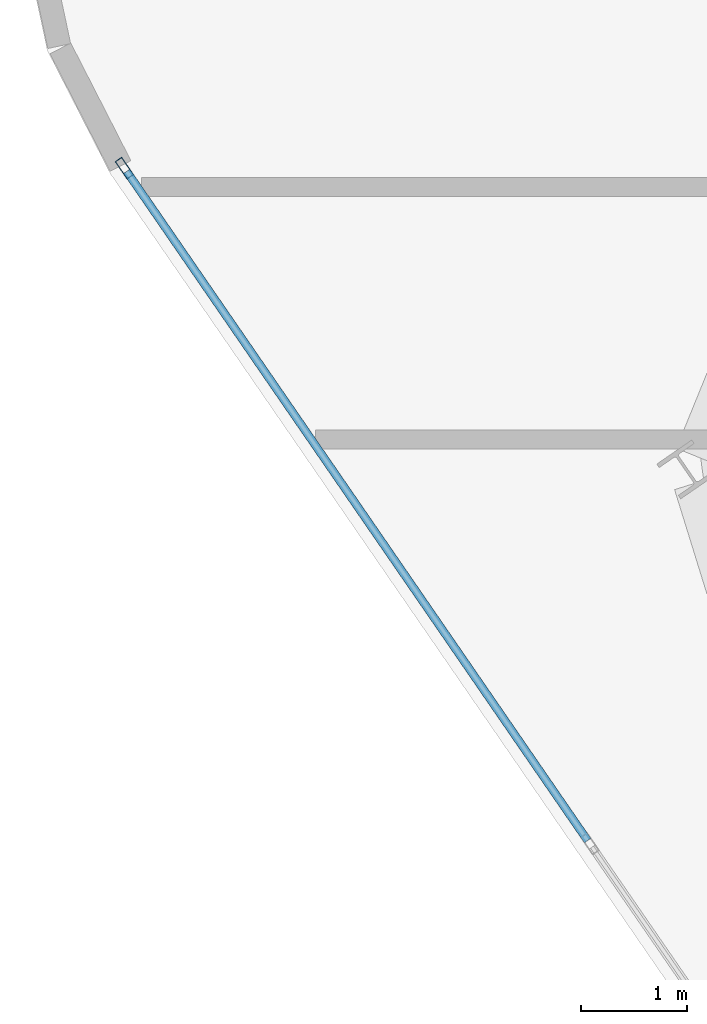
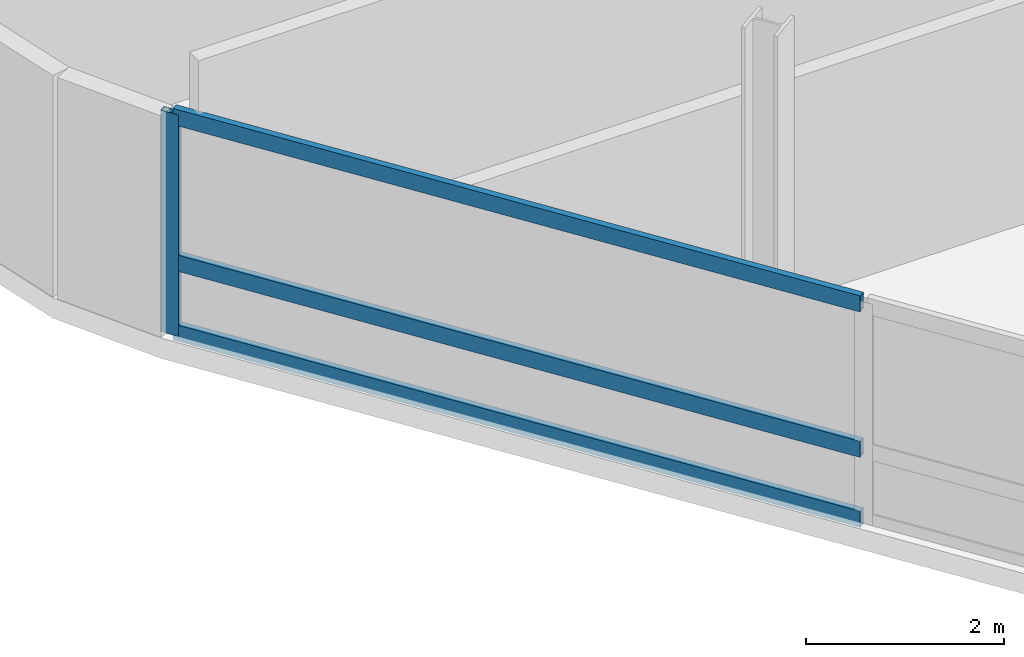
# One storey, part 6 of 21: 4 members, 1 element without a shape of its own.
"""IFC4 building model written with IfcOpenShell, lengths in metres."""

from ifc_helpers import new_model, si_unit, direction, frame, origin, origin_2d, place, context, subcontext, project, spatial, hollow_rectangle, extrude, material, layer, layer_set, material_profile, profile_set, type_object, element, aggregate, save


model = new_model("IFC4")

# Units and contexts
model_context = context("Model", 3, precision=1e-05, world=origin(), true_north=direction((0.0, 1.0)))
body_context = subcontext(model_context, "Body", "Model", "MODEL_VIEW")
ifc_project = project(units=[si_unit("LENGTHUNIT", "METRE"), si_unit("AREAUNIT", "SQUARE_METRE"), si_unit("VOLUMEUNIT", "CUBIC_METRE"), si_unit("PLANEANGLEUNIT", "RADIAN"), si_unit("MASSUNIT", "GRAM", prefix="KILO")], contexts=[model_context])

# Site, building, storey
site_placement = place(None, origin())
site = spatial("IfcSite", under=ifc_project, at=site_placement, CompositionType="ELEMENT")
building_placement = place(site_placement, origin())
building = spatial("IfcBuilding", under=site, at=building_placement, Name="Varnelok Gate Tower", CompositionType="ELEMENT")
storey_placement = place(building_placement, frame((0.0, 0.0, 276.699951171875)))
storey = spatial("IfcBuildingStorey", under=building, at=storey_placement, Name="L71", CompositionType="ELEMENT", Elevation=276.699951171875)

# Curtain wall, members
ifc_material = material(Name="Anodized Aluminum Alloy 6063-T6", Category="aluminium")
ifc_layer = layer(ifc_material, 0.179931640625)
ifc_layer_set = layer_set([ifc_layer], Name="Anodized Aluminum Alloy 6063-T6")
curtain_wall_type = type_object("IfcCurtainWallType", Name="CW4-RESIDENCE-VISION", PredefinedType="USERDEFINED", material=ifc_layer_set)
curtain_wall_placement = place(storey_placement, origin())
curtain_wall = element("IfcCurtainWall", 1, at=curtain_wall_placement, inside=storey, type_object=curtain_wall_type, Name="L71 West End Vision Curtain Wall", ObjectType="UNITISED CURTAIN WALL", PredefinedType="USERDEFINED")
ifc_material_profile_1 = material_profile(ifc_material, hollow_rectangle(XDim=0.074951171875, YDim=0.199951171875, WallThickness=0.00390625, at=origin_2d()), Name="ALU200X75X4")
ifc_profile_set_1 = profile_set([ifc_material_profile_1], Name="Anodized Aluminum Alloy 6063-T6")
member_type_1 = type_object("IfcMemberType", Name="CW-MULL-200", PredefinedType="MULLION", material=ifc_profile_set_1)
member_1_placement = place(storey_placement, frame((3.228271484375, 19.4189453125, 0.0), z_axis=(0.0, 0.0, 1.0), x_axis=(-0.823532290241, -0.567269395376, 0.0)))
member_1 = element("IfcMember", 2, at=member_1_placement, type_object=member_type_1, Name="CW4 mullion 5", PredefinedType="MULLION", context=body_context, shape_type="SweptSolid", body=[
    extrude(hollow_rectangle(XDim=0.074951171875, YDim=0.199951171875, WallThickness=0.00390625, at=origin_2d()), origin(), (0.0, 0.0, 1.0), 2.72998046875),
])
ifc_material_profile_2 = material_profile(ifc_material, hollow_rectangle(XDim=0.074951171875, YDim=0.199951171875, WallThickness=0.00390625, at=origin_2d()), Name="ALU200X75X4")
ifc_profile_set_2 = profile_set([ifc_material_profile_2], Name="Anodized Aluminum Alloy 6063-T6")
member_type_2 = type_object("IfcMemberType", Name="CW-TRAN-200", PredefinedType="USERDEFINED", material=ifc_profile_set_2)
member_2_placement = place(storey_placement, frame((7.6103515625, 13.05712890625, 0.03759765625), z_axis=(-0.567256418128, 0.82354122914, 0.0), x_axis=(-0.82354122914, -0.567256418128, 0.0)))
member_2 = element("IfcMember", 3, at=member_2_placement, type_object=member_type_2, Name="CW4 transom 4.1", ObjectType="TRANSOM", PredefinedType="USERDEFINED", context=body_context, shape_type="SweptSolid", body=[
    extrude(hollow_rectangle(XDim=0.074951171875, YDim=0.199951171875, WallThickness=0.00390625, at=origin_2d()), origin(), (0.0, 0.0, 1.0), 7.6875),
])
member_3_placement = place(storey_placement, frame((7.6103515625, 13.05712890625, 0.900146484375), z_axis=(-0.567256418128, 0.82354122914, 0.0), x_axis=(-0.82354122914, -0.567256418128, 0.0)))
member_3 = element("IfcMember", 4, at=member_3_placement, type_object=member_type_2, Name="CW4 transom 4.2", ObjectType="TRANSOM", PredefinedType="USERDEFINED", context=body_context, shape_type="SweptSolid", body=[
    extrude(hollow_rectangle(XDim=0.074951171875, YDim=0.199951171875, WallThickness=0.00390625, at=origin_2d()), origin(), (0.0, 0.0, 1.0), 7.6875),
])
member_4_placement = place(storey_placement, frame((7.6103515625, 13.05712890625, 2.692626953125), z_axis=(-0.567256418128, 0.82354122914, 0.0), x_axis=(-0.82354122914, -0.567256418128, 0.0)))
member_4 = element("IfcMember", 5, at=member_4_placement, type_object=member_type_2, Name="CW4 transom 4.3", ObjectType="TRANSOM", PredefinedType="USERDEFINED", context=body_context, shape_type="SweptSolid", body=[
    extrude(hollow_rectangle(XDim=0.074951171875, YDim=0.199951171875, WallThickness=0.00390625, at=origin_2d()), origin(), (0.0, 0.0, 1.0), 7.6875),
])
aggregate(curtain_wall, [member_1, member_2, member_3, member_4])

save(model, "model.ifc")
